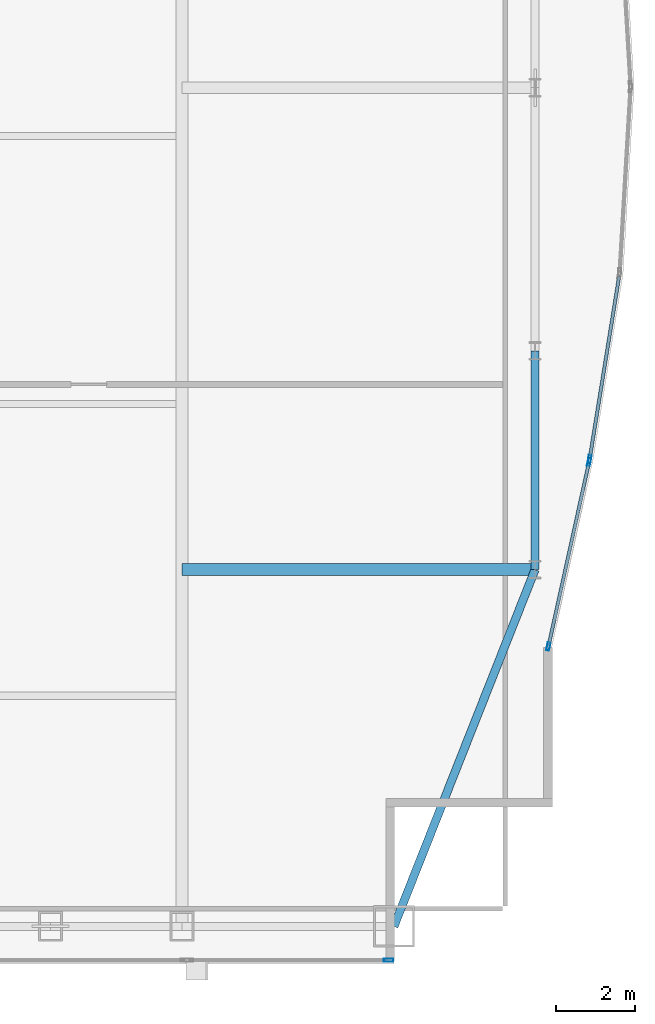
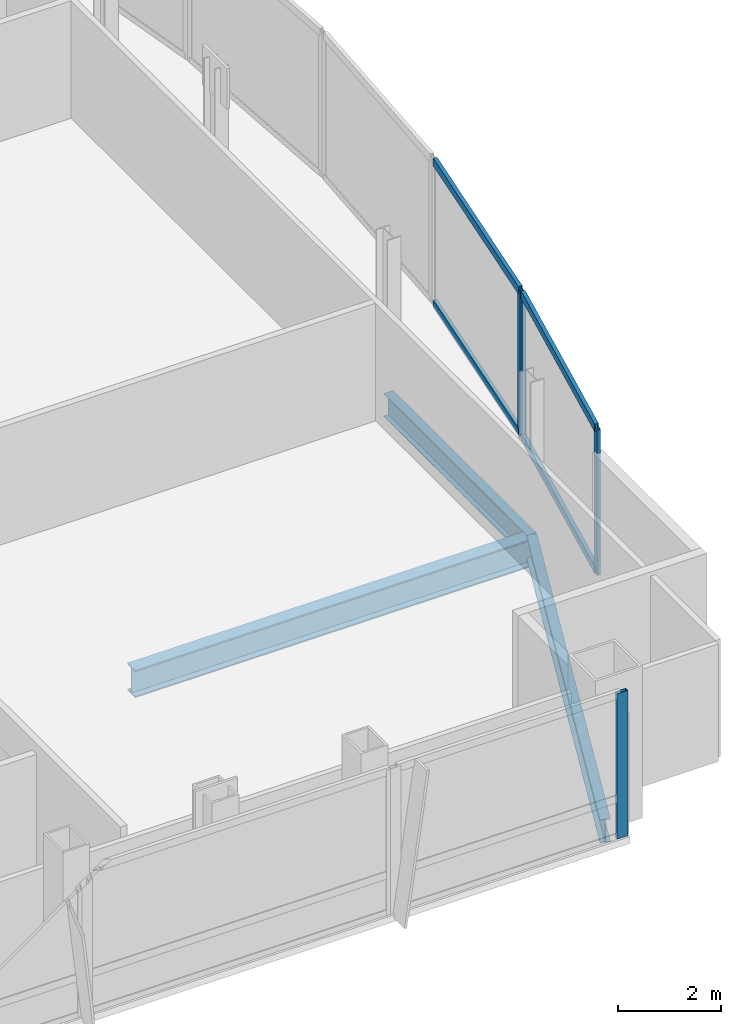
# One storey, part 16 of 30: 8 members, 3 beams, 3 elements without a shape of their own.
"""IFC4 building model written with IfcOpenShell, lengths in metres."""

from ifc_helpers import new_model, si_unit, direction, frame, origin, origin_2d, place, context, subcontext, project, spatial, hollow_rectangle, i_section, extrude, material, material_profile, profile_set, type_object, element, aggregate, save


model = new_model("IFC4")

# Units and contexts
model_context = context("Model", 3, precision=1e-05, world=origin(), true_north=direction((0.0, 1.0)))
body_context = subcontext(model_context, "Body", "Model", "MODEL_VIEW")
ifc_project = project(units=[si_unit("LENGTHUNIT", "METRE"), si_unit("AREAUNIT", "SQUARE_METRE"), si_unit("VOLUMEUNIT", "CUBIC_METRE"), si_unit("PLANEANGLEUNIT", "RADIAN"), si_unit("MASSUNIT", "GRAM", prefix="KILO")], contexts=[model_context])

# Site, building, storey
site_placement = place(None, origin())
site = spatial("IfcSite", under=ifc_project, at=site_placement, CompositionType="ELEMENT")
building_placement = place(site_placement, origin())
building = spatial("IfcBuilding", under=site, at=building_placement, Name="Khoronbel Lancet Exchange", CompositionType="ELEMENT")
storey_placement = place(building_placement, frame((0.0, 0.0, 269.800048828125)))
storey = spatial("IfcBuildingStorey", under=building, at=storey_placement, Name="L69", CompositionType="ELEMENT", Elevation=269.800048828125)

# Beams
ifc_material_1 = material(Name="Steel S355", Category="steel")
ifc_material_profile_1 = material_profile(ifc_material_1, i_section(OverallWidth=0.300048828125, OverallDepth=0.64990234375, WebThickness=0.01611328125, FlangeThickness=0.031005859375, at=origin_2d()), Name="HEB 650")
ifc_profile_set_1 = profile_set([ifc_material_profile_1], Name="Steel S355")
beam_type_1 = type_object("IfcBeamType", Name="BM-BG4", PredefinedType="BEAM", material=ifc_profile_set_1)
beam_1_placement = place(storey_placement, frame((54.675048828125, 19.199951171875, -0.485107421875), z_axis=(1.0, 0.0, 0.0), x_axis=(0.0, 1.0, 0.0)))
element("IfcBeam", 1, at=beam_1_placement, inside=storey, type_object=beam_type_1, Name="Level L69 east lens tie girder LG1E", PredefinedType="BEAM", context=body_context, shape_type="SweptSolid", body=[
    extrude(i_section(OverallWidth=0.300048828125, OverallDepth=0.64990234375, WebThickness=0.01611328125, FlangeThickness=0.031005859375, at=origin_2d()), origin(), (0.0, 0.0, 1.0), 8.954833984375),
])
ifc_material_profile_2 = material_profile(ifc_material_1, i_section(OverallWidth=0.2099609375, OverallDepth=0.550048828125, WebThickness=0.010986328125, FlangeThickness=0.01708984375, at=origin_2d()), Name="IPE 550")
ifc_profile_set_2 = profile_set([ifc_material_profile_2], Name="Steel S355")
beam_type_2 = type_object("IfcBeamType", Name="BM-BSP3", PredefinedType="SPANDREL", material=ifc_profile_set_2)
beam_2_placement = place(storey_placement, frame((60.050048828125, 10.14990234375, -0.43505859375), z_axis=(0.367828403855, 0.929893684954, 0.0), x_axis=(-0.929893684954, 0.367828403855, 0.0)))
element("IfcBeam", 2, at=beam_2_placement, inside=storey, type_object=beam_type_2, Name="Level L69 perimeter spandrel beam SP10", PredefinedType="SPANDREL", context=body_context, shape_type="SweptSolid", body=[
    extrude(i_section(OverallWidth=0.2099609375, OverallDepth=0.550048828125, WebThickness=0.010986328125, FlangeThickness=0.01708984375, at=origin_2d()), origin(), (0.0, 0.0, 1.0), 9.732421875),
])
beam_3_placement = place(storey_placement, frame((63.6298828125, 19.199951171875, -0.43505859375), z_axis=(0.0, 1.0, 0.0), x_axis=(-1.0, 0.0, 0.0)))
element("IfcBeam", 3, at=beam_3_placement, inside=storey, type_object=beam_type_2, Name="Level L69 perimeter spandrel beam SP11", PredefinedType="SPANDREL", context=body_context, shape_type="SweptSolid", body=[
    extrude(i_section(OverallWidth=0.2099609375, OverallDepth=0.550048828125, WebThickness=0.010986328125, FlangeThickness=0.01708984375, at=origin_2d()), origin(), (0.0, 0.0, 1.0), 5.550048828125),
])

# Curtain wall, member
ifc_material_2 = material(Name="Low-E Solar Control Insulating Glass", Category="glass")
curtain_wall_type_1 = type_object("IfcCurtainWallType", Name="CW-3", PredefinedType="NOTDEFINED", material=ifc_material_2)
curtain_wall_1_placement = place(storey_placement, origin())
curtain_wall_1 = element("IfcCurtainWall", 4, at=curtain_wall_1_placement, inside=storey, type_object=curtain_wall_type_1, Name="Unitised curtain wall CW-L69-SEV", PredefinedType="NOTDEFINED")
ifc_material_3 = material(Name="Bronze-Anodised Aluminium 6063-T6", Category="aluminium")
ifc_material_profile_3 = material_profile(ifc_material_3, hollow_rectangle(XDim=0.0849609375, YDim=0.239990234375, WallThickness=0.006103515625, at=origin_2d()), Name="ALU MULLION 85x240")
ifc_profile_set_3 = profile_set([ifc_material_profile_3], Name="Bronze-Anodised Aluminium 6063-T6")
member_type_1 = type_object("IfcMemberType", Name="MEM-CWM1", PredefinedType="MULLION", material=ifc_profile_set_3)
member_1_placement = place(storey_placement, frame((59.91748046875, 9.2900390625, 0.0), z_axis=(0.0, 0.0, 1.0), x_axis=(0.0, 1.0, 0.0)))
member_1 = element("IfcMember", 5, at=member_1_placement, type_object=member_type_1, Name="CW3 mullion 2", PredefinedType="MULLION", context=body_context, shape_type="SweptSolid", body=[
    extrude(hollow_rectangle(XDim=0.0849609375, YDim=0.239990234375, WallThickness=0.006103515625, at=origin_2d()), origin(), (0.0, 0.0, 1.0), 3.43994140625),
])
aggregate(curtain_wall_1, [member_1])

curtain_wall_type_2 = type_object("IfcCurtainWallType", Name="CW-4", PredefinedType="NOTDEFINED", material=ifc_material_2)
curtain_wall_2_placement = place(storey_placement, origin())
curtain_wall_2 = element("IfcCurtainWall", 6, at=curtain_wall_2_placement, inside=storey, type_object=curtain_wall_type_2, Name="Unitised curtain wall CW-L69-E21", PredefinedType="NOTDEFINED")
ifc_material_profile_4 = material_profile(ifc_material_3, hollow_rectangle(XDim=0.074951171875, YDim=0.199951171875, WallThickness=0.0048828125, at=origin_2d()), Name="ALU MULLION 75x200")
ifc_profile_set_4 = profile_set([ifc_material_profile_4], Name="Bronze-Anodised Aluminium 6063-T6")
member_type_2 = type_object("IfcMemberType", Name="MEM-CWM2", PredefinedType="MULLION", material=ifc_profile_set_4)
member_2_placement = place(storey_placement, frame((65.014404296875, 22.00390625, 0.0), z_axis=(0.0, 0.0, 1.0), x_axis=(0.98723404771, -0.159276285246, 0.0)))
member_2 = element("IfcMember", 7, at=member_2_placement, type_object=member_type_2, Name="CW4 mullion 2", PredefinedType="MULLION", context=body_context, shape_type="SweptSolid", body=[
    extrude(hollow_rectangle(XDim=0.074951171875, YDim=0.199951171875, WallThickness=0.0048828125, at=origin_2d()), origin(), (0.0, 0.0, 1.0), 3.43994140625),
])

# Curtain wall, members
curtain_wall_3_placement = place(storey_placement, origin())
curtain_wall_3 = element("IfcCurtainWall", 8, at=curtain_wall_3_placement, inside=storey, type_object=curtain_wall_type_2, Name="Unitised curtain wall CW-L69-E22", PredefinedType="NOTDEFINED")
member_3_placement = place(storey_placement, frame((65.000244140625, 21.93017578125, 0.0), z_axis=(0.0, 0.0, 1.0), x_axis=(0.976565223192, -0.21522166446, 0.0)))
member_3 = element("IfcMember", 9, at=member_3_placement, type_object=member_type_2, Name="CW4 mullion 1", PredefinedType="MULLION", context=body_context, shape_type="SweptSolid", body=[
    extrude(hollow_rectangle(XDim=0.074951171875, YDim=0.199951171875, WallThickness=0.0048828125, at=origin_2d()), origin(), (0.0, 0.0, 1.0), 3.43994140625),
])
member_4_placement = place(storey_placement, frame((63.968017578125, 17.246337890625, 0.0), z_axis=(0.0, 0.0, 1.0), x_axis=(0.976565223192, -0.21522166446, 0.0)))
member_4 = element("IfcMember", 10, at=member_4_placement, type_object=member_type_2, Name="CW4 mullion 2", PredefinedType="MULLION", context=body_context, shape_type="SweptSolid", body=[
    extrude(hollow_rectangle(XDim=0.074951171875, YDim=0.199951171875, WallThickness=0.0048828125, at=origin_2d()), origin(), (0.0, 0.0, 1.0), 3.43994140625),
])

# Member
ifc_material_profile_5 = material_profile(ifc_material_3, hollow_rectangle(XDim=0.0849609375, YDim=0.179931640625, WallThickness=0.0048828125, at=origin_2d()), Name="ALU TRANSOM 85x180")
ifc_profile_set_5 = profile_set([ifc_material_profile_5], Name="Bronze-Anodised Aluminium 6063-T6")
member_type_3 = type_object("IfcMemberType", Name="MEM-CWT1", PredefinedType="USERDEFINED", material=ifc_profile_set_5)
member_5_placement = place(storey_placement, frame((65.76171875, 26.6357421875, 0.04248046875), z_axis=(-0.159309952442, -0.987228615394, 0.0), x_axis=(0.987228615394, -0.159309952442, 0.0)))
member_5 = element("IfcMember", 11, at=member_5_placement, type_object=member_type_3, Name="CW4 transom 1.1", ObjectType="TRANSOM", PredefinedType="USERDEFINED", context=body_context, shape_type="SweptSolid", body=[
    extrude(hollow_rectangle(XDim=0.0849609375, YDim=0.179931640625, WallThickness=0.0048828125, at=origin_2d()), origin(), (0.0, 0.0, 1.0), 4.654052734375),
])

member_6_placement = place(storey_placement, frame((65.76171875, 26.6357421875, 3.3974609375), z_axis=(-0.159309952442, -0.987228615394, 0.0), x_axis=(0.987228615394, -0.159309952442, 0.0)))
member_6 = element("IfcMember", 12, at=member_6_placement, type_object=member_type_3, Name="CW4 transom 1.2", ObjectType="TRANSOM", PredefinedType="USERDEFINED", context=body_context, shape_type="SweptSolid", body=[
    extrude(hollow_rectangle(XDim=0.0849609375, YDim=0.179931640625, WallThickness=0.0048828125, at=origin_2d()), origin(), (0.0, 0.0, 1.0), 4.654052734375),
])

aggregate(curtain_wall_2, [member_2, member_5, member_6])

member_7_placement = place(storey_placement, frame((64.9921875, 21.8935546875, 0.04248046875), z_axis=(-0.2152218324, -0.97656518618, 0.0), x_axis=(0.97656518618, -0.2152218324, 0.0)))
member_7 = element("IfcMember", 13, at=member_7_placement, type_object=member_type_3, Name="CW4 transom 1.1", ObjectType="TRANSOM", PredefinedType="USERDEFINED", context=body_context, shape_type="SweptSolid", body=[
    extrude(hollow_rectangle(XDim=0.0849609375, YDim=0.179931640625, WallThickness=0.0048828125, at=origin_2d()), origin(), (0.0, 0.0, 1.0), 4.72119140625),
])

member_8_placement = place(storey_placement, frame((64.9921875, 21.8935546875, 3.3974609375), z_axis=(-0.2152218324, -0.97656518618, 0.0), x_axis=(0.97656518618, -0.2152218324, 0.0)))
member_8 = element("IfcMember", 14, at=member_8_placement, type_object=member_type_3, Name="CW4 transom 1.2", ObjectType="TRANSOM", PredefinedType="USERDEFINED", context=body_context, shape_type="SweptSolid", body=[
    extrude(hollow_rectangle(XDim=0.0849609375, YDim=0.179931640625, WallThickness=0.0048828125, at=origin_2d()), origin(), (0.0, 0.0, 1.0), 4.72119140625),
])

aggregate(curtain_wall_3, [member_3, member_4, member_7, member_8])

save(model, "model.ifc")
